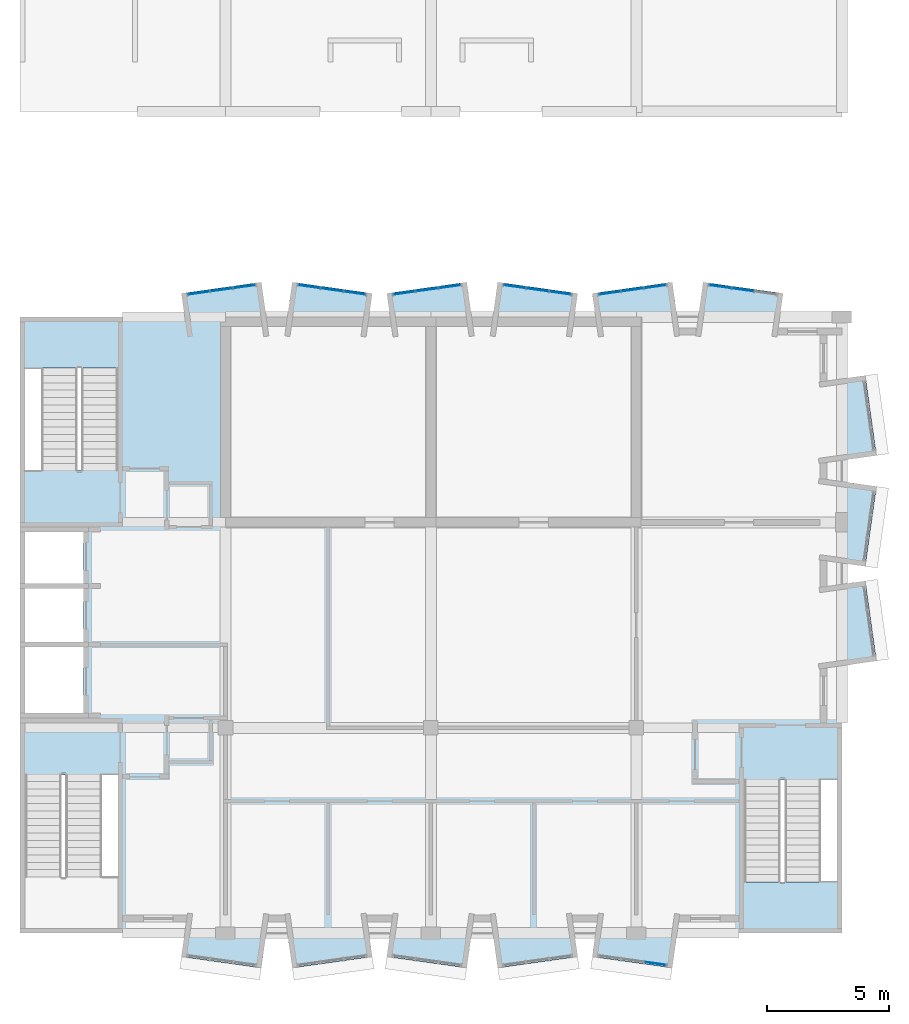
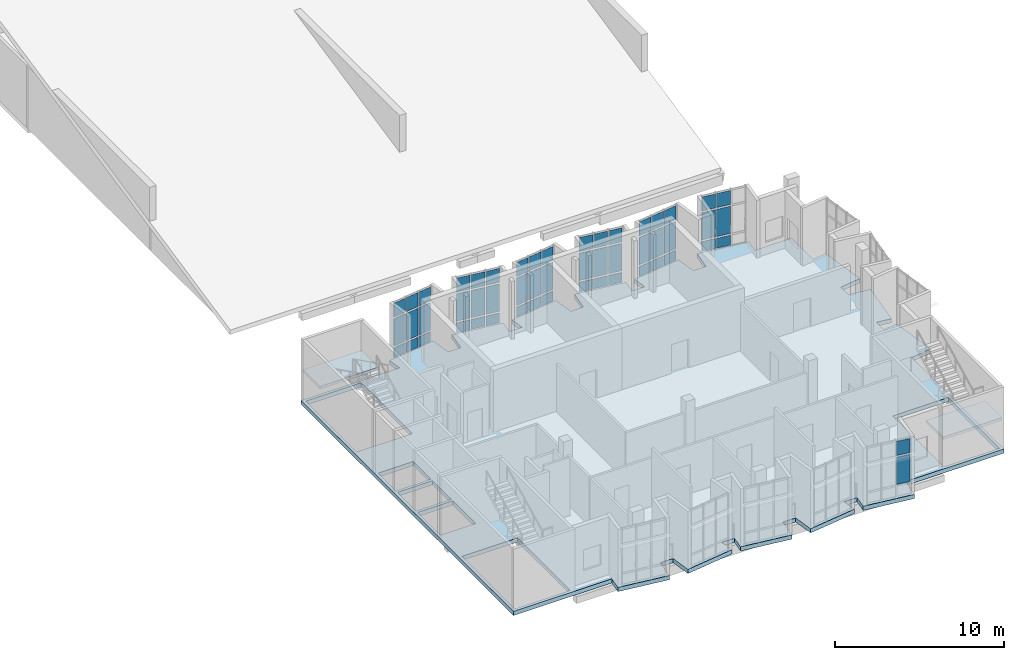
# One storey, part 9 of 19: 53 plates, 3 slabs, 9 elements without a shape of their own.
"""IFC4 building model written with IfcOpenShell, lengths in metres."""

from ifc_helpers import new_model, si_unit, direction, frame, origin, origin_2d, place, context, subcontext, project, spatial, polyline, rectangle, outline, extrude, material, layer, layer_set, type_object, element, aggregate, save


model = new_model("IFC4")

# Units and contexts
model_context = context("Model", 3, precision=1e-05, world=origin(), true_north=direction((0.0, 1.0)))
body_context = subcontext(model_context, "Body", "Model", "MODEL_VIEW")
ifc_project = project(units=[si_unit("LENGTHUNIT", "METRE"), si_unit("AREAUNIT", "SQUARE_METRE"), si_unit("VOLUMEUNIT", "CUBIC_METRE"), si_unit("PLANEANGLEUNIT", "RADIAN"), si_unit("MASSUNIT", "GRAM", prefix="KILO")], contexts=[model_context])

# Site, building, storey
site_placement = place(None, origin())
site = spatial("IfcSite", under=ifc_project, at=site_placement, CompositionType="ELEMENT")
building_placement = place(site_placement, origin())
building = spatial("IfcBuilding", under=site, at=building_placement, Name="Kiln Court Media Centre", CompositionType="ELEMENT")
storey_placement = place(building_placement, frame((0.0, 0.0, 29.10009765625)))
storey = spatial("IfcBuildingStorey", under=building, at=storey_placement, Name="L06", CompositionType="ELEMENT", Elevation=29.10009765625)

# Slab
ifc_material_1 = material(Name="Concrete C30/37", Category="concrete")
ifc_layer_1 = layer(ifc_material_1, 0.300048828125)
ifc_layer_set_1 = layer_set([ifc_layer_1], Name="Concrete C30/37 floor slab 300")
slab_type_1 = type_object("IfcSlabType", Name="Concrete C30/37 floor slab 300", PredefinedType="FLOOR", material=ifc_layer_set_1)
slab_1_placement = place(storey_placement, frame((0.0, 0.0, -0.300048828125)))
element("IfcSlab", 1, at=slab_1_placement, inside=storey, type_object=slab_type_1, Name="L06-SL-1000", PredefinedType="FLOOR", context=body_context, shape_type="SweptSolid", body=[
    extrude(outline(polyline([(9.866943359375, -1.41845703125), (6.598876953125, -0.958984375), (6.7333984375, 0.0), (0.0, 0.0), (0.0, 25.199951171875), (6.7333984375, 25.199951171875), (6.598876953125, 26.1591796875), (9.866943359375, 26.618408203125), (10.066650390625, 25.199951171875), (10.933349609375, 25.199951171875), (11.133056640625, 26.618408203125), (14.401123046875, 26.1591796875), (14.2666015625, 25.199951171875), (15.13330078125, 25.199951171875), (14.998779296875, 26.1591796875), (18.266845703125, 26.618408203125), (18.466796875, 25.199951171875), (19.333251953125, 25.199951171875), (19.533203125, 26.618408203125), (22.801025390625, 26.1591796875), (22.666748046875, 25.199951171875), (23.533203125, 25.199951171875), (23.39892578125, 26.1591796875), (26.6669921875, 26.618408203125), (26.86669921875, 25.199951171875), (27.7333984375, 25.199951171875), (27.93310546875, 26.618408203125), (31.201171875, 26.1591796875), (31.066650390625, 25.199951171875), (33.60009765625, 25.199951171875), (33.60009765625, 22.666748046875), (34.55908203125, 22.801025390625), (35.0185546875, 19.533203125), (33.60009765625, 19.333251953125), (33.60009765625, 18.466796875), (35.018310546875, 18.26708984375), (34.55908203125, 14.998779296875), (33.60009765625, 15.13330078125), (33.60009765625, 14.2666015625), (34.55908203125, 14.401123046875), (35.0185546875, 11.133056640625), (33.60009765625, 10.933349609375), (33.60009765625, 0.0), (26.86669921875, 0.0), (26.6669921875, -1.41845703125), (23.39892578125, -0.958984375), (23.533203125, 0.0), (22.666748046875, 0.0), (22.801025390625, -0.959228515625), (19.533203125, -1.41845703125), (19.333251953125, 0.0), (18.466796875, 0.0), (18.266845703125, -1.41845703125), (14.998779296875, -0.958984375), (15.13330078125, 0.0), (14.2666015625, 0.0), (14.401123046875, -0.959228515625), (11.133056640625, -1.41845703125), (10.933349609375, 0.0), (10.066650390625, 0.0), (9.866943359375, -1.41845703125)]), holes=[polyline([(0.199951171875, 0.199951171875), (4.0, 0.199951171875), (4.0, 6.4599609375), (0.199951171875, 6.4599609375), (0.199951171875, 0.199951171875)]), polyline([(29.60009765625, 0.199951171875), (33.39990234375, 0.199951171875), (33.39990234375, 6.260009765625), (29.60009765625, 6.260009765625), (29.60009765625, 0.199951171875)]), polyline([(0.199951171875, 9.0), (2.60009765625, 9.0), (2.60009765625, 11.699951171875), (0.199951171875, 11.699951171875), (0.199951171875, 9.0)]), polyline([(0.199951171875, 11.89990234375), (2.60009765625, 11.89990234375), (2.60009765625, 14.10009765625), (0.199951171875, 14.10009765625), (0.199951171875, 11.89990234375)]), polyline([(0.199951171875, 14.300048828125), (2.60009765625, 14.300048828125), (2.60009765625, 16.39990234375), (0.199951171875, 16.39990234375), (0.199951171875, 14.300048828125)]), polyline([(0.199951171875, 18.93994140625), (4.0, 18.93994140625), (4.0, 25.0), (0.199951171875, 25.0), (0.199951171875, 18.93994140625)])]), origin(), (0.0, 0.0, 1.0), 0.300048828125),
])

# Stair, slab
ifc_material_2 = material(Name="Concrete C40/50", Category="concrete")
stair_type = type_object("IfcStairType", Name="Concrete C40/50 dog-leg stair 1500 wide, 150 riser", PredefinedType="HALF_TURN_STAIR", material=ifc_material_2)
stair_1_placement = place(storey_placement, origin())
stair_1 = element("IfcStair", 2, at=stair_1_placement, inside=storey, type_object=stair_type, Name="ST-02 L06", PredefinedType="HALF_TURN_STAIR")
ifc_material_3 = material(Name="Concrete C40/50", Category="concrete")
ifc_layer_2 = layer(ifc_material_3, 0.199951171875)
ifc_layer_set_2 = layer_set([ifc_layer_2], Name="Concrete C40/50 stair landing 200")
slab_type_2 = type_object("IfcSlabType", Name="Concrete C40/50 stair landing 200", PredefinedType="LANDING", material=ifc_layer_set_2)
slab_2_placement = place(storey_placement, frame((0.0, 0.0, 2.0498046875)))
slab_2 = element("IfcSlab", 3, at=slab_2_placement, type_object=slab_type_2, Name="L06-ST-5001 landing 5001", PredefinedType="LANDING", context=body_context, shape_type="SweptSolid", body=[
    extrude(outline(polyline([(4.1201171875, 23.10009765625), (4.1201171875, 25.1201171875), (0.080078125, 25.1201171875), (0.080078125, 23.10009765625), (4.1201171875, 23.10009765625)])), origin(), (0.0, 0.0, 1.0), 0.2001953125),
])
aggregate(stair_1, [slab_2])

stair_2_placement = place(storey_placement, origin())
stair_2 = element("IfcStair", 4, at=stair_2_placement, inside=storey, type_object=stair_type, Name="ST-03 L06", PredefinedType="HALF_TURN_STAIR")
slab_3_placement = place(storey_placement, frame((0.0, 0.0, 2.0498046875)))
slab_3 = element("IfcSlab", 5, at=slab_3_placement, type_object=slab_type_2, Name="L06-ST-5002 landing 5002", PredefinedType="LANDING", context=body_context, shape_type="SweptSolid", body=[
    extrude(outline(polyline([(29.47998046875, 2.10009765625), (29.47998046875, 0.080078125), (33.52001953125, 0.080078125), (33.52001953125, 2.10009765625), (29.47998046875, 2.10009765625)])), origin(), (0.0, 0.0, 1.0), 0.2001953125),
])
aggregate(stair_2, [slab_3])

# Curtain wall, plates
ifc_material_4 = material(Name="Aluminium 6063-T6", Category="aluminium")
ifc_layer_3 = layer(ifc_material_4, 0.1201171875)
ifc_layer_set_3 = layer_set([ifc_layer_3], Name="Aluminium unitised bay curtain wall")
curtain_wall_type = type_object("IfcCurtainWallType", Name="Aluminium unitised bay curtain wall", PredefinedType="USERDEFINED", material=ifc_layer_set_3)
curtain_wall_1_placement = place(storey_placement, origin())
curtain_wall_1 = element("IfcCurtainWall", 6, at=curtain_wall_1_placement, inside=storey, type_object=curtain_wall_type, Name="BAY V6A-N-L06-38 front", ObjectType="UNITISED CURTAIN WALL", PredefinedType="USERDEFINED")
ifc_material_5 = material(Name="Aluminium insulated spandrel", Category="aluminium")
ifc_layer_4 = layer(ifc_material_5, 0.028076171875)
ifc_layer_set_4 = layer_set([ifc_layer_4], Name="Insulated spandrel panel 28")
plate_type_1 = type_object("IfcPlateType", Name="Insulated spandrel panel 28", PredefinedType="CURTAIN_PANEL", material=ifc_layer_set_4)
plate_1_placement = place(storey_placement, frame((7.3115234375, 26.177978515625, 0.1201171875), z_axis=(0.0, 0.0, 1.0), x_axis=(0.990269562409, 0.139162472554, 0.0)))
plate_1 = element("IfcPlate", 7, at=plate_1_placement, type_object=plate_type_1, Name="CW6-04 panel 1.1", PredefinedType="CURTAIN_PANEL", context=body_context, shape_type="SweptSolid", body=[
    extrude(rectangle(XDim=0.86669921875, YDim=0.028076171875, at=origin_2d()), origin(), (0.0, 0.0, 1.0), 0.719970703125),
])
plate_2_placement = place(storey_placement, frame((8.244140625, 26.30908203125, 0.1201171875), z_axis=(0.0, 0.0, 1.0), x_axis=(0.990269562409, 0.139162472554, 0.0)))
plate_2 = element("IfcPlate", 8, at=plate_2_placement, type_object=plate_type_1, Name="CW6-04 panel 2.1", PredefinedType="CURTAIN_PANEL", context=body_context, shape_type="SweptSolid", body=[
    extrude(rectangle(XDim=0.896728515625, YDim=0.028076171875, at=origin_2d()), origin(), (0.0, 0.0, 1.0), 0.719970703125),
])
plate_3_placement = place(storey_placement, frame((9.1767578125, 26.440185546875, 0.1201171875), z_axis=(0.0, 0.0, 1.0), x_axis=(0.990269562409, 0.139162472554, 0.0)))
plate_3 = element("IfcPlate", 9, at=plate_3_placement, type_object=plate_type_1, Name="CW6-04 panel 3.1", PredefinedType="CURTAIN_PANEL", context=body_context, shape_type="SweptSolid", body=[
    extrude(rectangle(XDim=0.86669921875, YDim=0.028076171875, at=origin_2d()), origin(), (0.0, 0.0, 1.0), 0.719970703125),
])

curtain_wall_2_placement = place(storey_placement, origin())
curtain_wall_2 = element("IfcCurtainWall", 10, at=curtain_wall_2_placement, inside=storey, type_object=curtain_wall_type, Name="BAY V6A-N-L06-39 front", ObjectType="UNITISED CURTAIN WALL", PredefinedType="USERDEFINED")
plate_4_placement = place(storey_placement, frame((11.8232421875, 26.440185546875, 0.1201171875), z_axis=(0.0, 0.0, 1.0), x_axis=(0.990269562409, -0.139162472554, 0.0)))
plate_4 = element("IfcPlate", 11, at=plate_4_placement, type_object=plate_type_1, Name="CW6-05 panel 1.1", PredefinedType="CURTAIN_PANEL", context=body_context, shape_type="SweptSolid", body=[
    extrude(rectangle(XDim=0.86669921875, YDim=0.028076171875, at=origin_2d()), origin(), (0.0, 0.0, 1.0), 0.719970703125),
])
plate_5_placement = place(storey_placement, frame((12.755859375, 26.30908203125, 0.1201171875), z_axis=(0.0, 0.0, 1.0), x_axis=(0.990269562409, -0.139162472554, 0.0)))
plate_5 = element("IfcPlate", 12, at=plate_5_placement, type_object=plate_type_1, Name="CW6-05 panel 2.1", PredefinedType="CURTAIN_PANEL", context=body_context, shape_type="SweptSolid", body=[
    extrude(rectangle(XDim=0.896728515625, YDim=0.028076171875, at=origin_2d()), origin(), (0.0, 0.0, 1.0), 0.719970703125),
])
plate_6_placement = place(storey_placement, frame((13.6884765625, 26.177978515625, 0.1201171875), z_axis=(0.0, 0.0, 1.0), x_axis=(0.990269562409, -0.139162472554, 0.0)))
plate_6 = element("IfcPlate", 13, at=plate_6_placement, type_object=plate_type_1, Name="CW6-05 panel 3.1", PredefinedType="CURTAIN_PANEL", context=body_context, shape_type="SweptSolid", body=[
    extrude(rectangle(XDim=0.86669921875, YDim=0.028076171875, at=origin_2d()), origin(), (0.0, 0.0, 1.0), 0.719970703125),
])

curtain_wall_3_placement = place(storey_placement, origin())
curtain_wall_3 = element("IfcCurtainWall", 14, at=curtain_wall_3_placement, inside=storey, type_object=curtain_wall_type, Name="BAY V6A-N-L06-40 front", ObjectType="UNITISED CURTAIN WALL", PredefinedType="USERDEFINED")
plate_7_placement = place(storey_placement, frame((15.711669921875, 26.177978515625, 0.1201171875), z_axis=(0.0, 0.0, 1.0), x_axis=(0.990269562409, 0.139162472554, 0.0)))
plate_7 = element("IfcPlate", 15, at=plate_7_placement, type_object=plate_type_1, Name="CW6-06 panel 1.1", PredefinedType="CURTAIN_PANEL", context=body_context, shape_type="SweptSolid", body=[
    extrude(rectangle(XDim=0.86669921875, YDim=0.028076171875, at=origin_2d()), origin(), (0.0, 0.0, 1.0), 0.719970703125),
])
plate_8_placement = place(storey_placement, frame((16.64404296875, 26.30908203125, 0.1201171875), z_axis=(0.0, 0.0, 1.0), x_axis=(0.990269562409, 0.139162472554, 0.0)))
plate_8 = element("IfcPlate", 16, at=plate_8_placement, type_object=plate_type_1, Name="CW6-06 panel 2.1", PredefinedType="CURTAIN_PANEL", context=body_context, shape_type="SweptSolid", body=[
    extrude(rectangle(XDim=0.896728515625, YDim=0.028076171875, at=origin_2d()), origin(), (0.0, 0.0, 1.0), 0.719970703125),
])
plate_9_placement = place(storey_placement, frame((17.57666015625, 26.440185546875, 0.1201171875), z_axis=(0.0, 0.0, 1.0), x_axis=(0.990269562409, 0.139162472554, 0.0)))
plate_9 = element("IfcPlate", 17, at=plate_9_placement, type_object=plate_type_1, Name="CW6-06 panel 3.1", PredefinedType="CURTAIN_PANEL", context=body_context, shape_type="SweptSolid", body=[
    extrude(rectangle(XDim=0.86669921875, YDim=0.028076171875, at=origin_2d()), origin(), (0.0, 0.0, 1.0), 0.719970703125),
])

curtain_wall_4_placement = place(storey_placement, origin())
curtain_wall_4 = element("IfcCurtainWall", 18, at=curtain_wall_4_placement, inside=storey, type_object=curtain_wall_type, Name="BAY V6A-N-L06-41 front", ObjectType="UNITISED CURTAIN WALL", PredefinedType="USERDEFINED")
plate_10_placement = place(storey_placement, frame((20.223388671875, 26.440185546875, 0.1201171875), z_axis=(0.0, 0.0, 1.0), x_axis=(0.990269562409, -0.139162472554, 0.0)))
plate_10 = element("IfcPlate", 19, at=plate_10_placement, type_object=plate_type_1, Name="CW6-07 panel 1.1", PredefinedType="CURTAIN_PANEL", context=body_context, shape_type="SweptSolid", body=[
    extrude(rectangle(XDim=0.86669921875, YDim=0.028076171875, at=origin_2d()), origin(), (0.0, 0.0, 1.0), 0.719970703125),
])
plate_11_placement = place(storey_placement, frame((21.15576171875, 26.30908203125, 0.1201171875), z_axis=(0.0, 0.0, 1.0), x_axis=(0.990269562409, -0.139162472554, 0.0)))
plate_11 = element("IfcPlate", 20, at=plate_11_placement, type_object=plate_type_1, Name="CW6-07 panel 2.1", PredefinedType="CURTAIN_PANEL", context=body_context, shape_type="SweptSolid", body=[
    extrude(rectangle(XDim=0.896728515625, YDim=0.028076171875, at=origin_2d()), origin(), (0.0, 0.0, 1.0), 0.719970703125),
])
plate_12_placement = place(storey_placement, frame((22.08837890625, 26.177978515625, 0.1201171875), z_axis=(0.0, 0.0, 1.0), x_axis=(0.990269562409, -0.139162472554, 0.0)))
plate_12 = element("IfcPlate", 21, at=plate_12_placement, type_object=plate_type_1, Name="CW6-07 panel 3.1", PredefinedType="CURTAIN_PANEL", context=body_context, shape_type="SweptSolid", body=[
    extrude(rectangle(XDim=0.86669921875, YDim=0.028076171875, at=origin_2d()), origin(), (0.0, 0.0, 1.0), 0.719970703125),
])

curtain_wall_5_placement = place(storey_placement, origin())
curtain_wall_5 = element("IfcCurtainWall", 22, at=curtain_wall_5_placement, inside=storey, type_object=curtain_wall_type, Name="BAY V6A-N-L06-42 front", ObjectType="UNITISED CURTAIN WALL", PredefinedType="USERDEFINED")
plate_13_placement = place(storey_placement, frame((24.111572265625, 26.177978515625, 0.1201171875), z_axis=(0.0, 0.0, 1.0), x_axis=(0.990269562409, 0.139162472554, 0.0)))
plate_13 = element("IfcPlate", 23, at=plate_13_placement, type_object=plate_type_1, Name="CW6-08 panel 1.1", PredefinedType="CURTAIN_PANEL", context=body_context, shape_type="SweptSolid", body=[
    extrude(rectangle(XDim=0.86669921875, YDim=0.028076171875, at=origin_2d()), origin(), (0.0, 0.0, 1.0), 0.719970703125),
])
plate_14_placement = place(storey_placement, frame((25.044189453125, 26.30908203125, 0.1201171875), z_axis=(0.0, 0.0, 1.0), x_axis=(0.990269562409, 0.139162472554, 0.0)))
plate_14 = element("IfcPlate", 24, at=plate_14_placement, type_object=plate_type_1, Name="CW6-08 panel 2.1", PredefinedType="CURTAIN_PANEL", context=body_context, shape_type="SweptSolid", body=[
    extrude(rectangle(XDim=0.896728515625, YDim=0.028076171875, at=origin_2d()), origin(), (0.0, 0.0, 1.0), 0.719970703125),
])
plate_15_placement = place(storey_placement, frame((25.9765625, 26.440185546875, 0.1201171875), z_axis=(0.0, 0.0, 1.0), x_axis=(0.990269562409, 0.139162472554, 0.0)))
plate_15 = element("IfcPlate", 25, at=plate_15_placement, type_object=plate_type_1, Name="CW6-08 panel 3.1", PredefinedType="CURTAIN_PANEL", context=body_context, shape_type="SweptSolid", body=[
    extrude(rectangle(XDim=0.86669921875, YDim=0.028076171875, at=origin_2d()), origin(), (0.0, 0.0, 1.0), 0.719970703125),
])

curtain_wall_6_placement = place(storey_placement, origin())
curtain_wall_6 = element("IfcCurtainWall", 26, at=curtain_wall_6_placement, inside=storey, type_object=curtain_wall_type, Name="BAY V6A-N-L06-43 front", ObjectType="UNITISED CURTAIN WALL", PredefinedType="USERDEFINED")
plate_16_placement = place(storey_placement, frame((28.623291015625, 26.440185546875, 0.1201171875), z_axis=(0.0, 0.0, 1.0), x_axis=(0.990269562409, -0.139162472554, 0.0)))
plate_16 = element("IfcPlate", 27, at=plate_16_placement, type_object=plate_type_1, Name="CW6-09 panel 1.1", PredefinedType="CURTAIN_PANEL", context=body_context, shape_type="SweptSolid", body=[
    extrude(rectangle(XDim=0.86669921875, YDim=0.028076171875, at=origin_2d()), origin(), (0.0, 0.0, 1.0), 0.719970703125),
])
plate_17_placement = place(storey_placement, frame((29.555908203125, 26.30908203125, 0.1201171875), z_axis=(0.0, 0.0, 1.0), x_axis=(0.990269562409, -0.139162472554, 0.0)))
plate_17 = element("IfcPlate", 28, at=plate_17_placement, type_object=plate_type_1, Name="CW6-09 panel 2.1", PredefinedType="CURTAIN_PANEL", context=body_context, shape_type="SweptSolid", body=[
    extrude(rectangle(XDim=0.896728515625, YDim=0.028076171875, at=origin_2d()), origin(), (0.0, 0.0, 1.0), 0.719970703125),
])

# Plate
ifc_material_6 = material(Name="Low-E double glazing", Category="glass")
ifc_layer_5 = layer(ifc_material_6, 0.028076171875)
ifc_layer_set_5 = layer_set([ifc_layer_5], Name="Low-E double glazed panel 28")
plate_type_2 = type_object("IfcPlateType", Name="Low-E double glazed panel 28", PredefinedType="CURTAIN_PANEL", material=ifc_layer_set_5)
plate_18_placement = place(storey_placement, frame((7.3115234375, 26.177978515625, 0.9599609375), z_axis=(0.0, 0.0, 1.0), x_axis=(0.990269562409, 0.139162472554, 0.0)))
plate_18 = element("IfcPlate", 29, at=plate_18_placement, type_object=plate_type_2, Name="CW6-04 panel 1.2", PredefinedType="CURTAIN_PANEL", context=body_context, shape_type="SweptSolid", body=[
    extrude(rectangle(XDim=0.86669921875, YDim=0.028076171875, at=origin_2d()), origin(), (0.0, 0.0, 1.0), 1.97998046875),
])

plate_19_placement = place(storey_placement, frame((7.3115234375, 26.177978515625, 3.059814453125), z_axis=(0.0, 0.0, 1.0), x_axis=(0.990269562409, 0.139162472554, 0.0)))
plate_19 = element("IfcPlate", 30, at=plate_19_placement, type_object=plate_type_2, Name="CW6-04 panel 1.3", PredefinedType="CURTAIN_PANEL", context=body_context, shape_type="SweptSolid", body=[
    extrude(rectangle(XDim=0.86669921875, YDim=0.028076171875, at=origin_2d()), origin(), (0.0, 0.0, 1.0), 1.02001953125),
])

plate_20_placement = place(storey_placement, frame((8.244140625, 26.30908203125, 0.9599609375), z_axis=(0.0, 0.0, 1.0), x_axis=(0.990269562409, 0.139162472554, 0.0)))
plate_20 = element("IfcPlate", 31, at=plate_20_placement, type_object=plate_type_2, Name="CW6-04 panel 2.2", PredefinedType="CURTAIN_PANEL", context=body_context, shape_type="SweptSolid", body=[
    extrude(rectangle(XDim=0.896728515625, YDim=0.028076171875, at=origin_2d()), origin(), (0.0, 0.0, 1.0), 1.97998046875),
])

plate_21_placement = place(storey_placement, frame((8.244140625, 26.30908203125, 3.059814453125), z_axis=(0.0, 0.0, 1.0), x_axis=(0.990269562409, 0.139162472554, 0.0)))
plate_21 = element("IfcPlate", 32, at=plate_21_placement, type_object=plate_type_2, Name="CW6-04 panel 2.3", PredefinedType="CURTAIN_PANEL", context=body_context, shape_type="SweptSolid", body=[
    extrude(rectangle(XDim=0.896728515625, YDim=0.028076171875, at=origin_2d()), origin(), (0.0, 0.0, 1.0), 1.02001953125),
])

plate_22_placement = place(storey_placement, frame((9.1767578125, 26.440185546875, 0.9599609375), z_axis=(0.0, 0.0, 1.0), x_axis=(0.990269562409, 0.139162472554, 0.0)))
plate_22 = element("IfcPlate", 33, at=plate_22_placement, type_object=plate_type_2, Name="CW6-04 panel 3.2", PredefinedType="CURTAIN_PANEL", context=body_context, shape_type="SweptSolid", body=[
    extrude(rectangle(XDim=0.86669921875, YDim=0.028076171875, at=origin_2d()), origin(), (0.0, 0.0, 1.0), 1.97998046875),
])

plate_23_placement = place(storey_placement, frame((9.1767578125, 26.440185546875, 3.059814453125), z_axis=(0.0, 0.0, 1.0), x_axis=(0.990269562409, 0.139162472554, 0.0)))
plate_23 = element("IfcPlate", 34, at=plate_23_placement, type_object=plate_type_2, Name="CW6-04 panel 3.3", PredefinedType="CURTAIN_PANEL", context=body_context, shape_type="SweptSolid", body=[
    extrude(rectangle(XDim=0.86669921875, YDim=0.028076171875, at=origin_2d()), origin(), (0.0, 0.0, 1.0), 1.02001953125),
])

aggregate(curtain_wall_1, [plate_1, plate_18, plate_19, plate_2, plate_20, plate_21, plate_3, plate_22, plate_23])

plate_24_placement = place(storey_placement, frame((11.8232421875, 26.440185546875, 0.9599609375), z_axis=(0.0, 0.0, 1.0), x_axis=(0.990269562409, -0.139162472554, 0.0)))
plate_24 = element("IfcPlate", 35, at=plate_24_placement, type_object=plate_type_2, Name="CW6-05 panel 1.2", PredefinedType="CURTAIN_PANEL", context=body_context, shape_type="SweptSolid", body=[
    extrude(rectangle(XDim=0.86669921875, YDim=0.028076171875, at=origin_2d()), origin(), (0.0, 0.0, 1.0), 1.97998046875),
])

plate_25_placement = place(storey_placement, frame((11.8232421875, 26.440185546875, 3.059814453125), z_axis=(0.0, 0.0, 1.0), x_axis=(0.990269562409, -0.139162472554, 0.0)))
plate_25 = element("IfcPlate", 36, at=plate_25_placement, type_object=plate_type_2, Name="CW6-05 panel 1.3", PredefinedType="CURTAIN_PANEL", context=body_context, shape_type="SweptSolid", body=[
    extrude(rectangle(XDim=0.86669921875, YDim=0.028076171875, at=origin_2d()), origin(), (0.0, 0.0, 1.0), 1.02001953125),
])

plate_26_placement = place(storey_placement, frame((12.755859375, 26.30908203125, 0.9599609375), z_axis=(0.0, 0.0, 1.0), x_axis=(0.990269562409, -0.139162472554, 0.0)))
plate_26 = element("IfcPlate", 37, at=plate_26_placement, type_object=plate_type_2, Name="CW6-05 panel 2.2", PredefinedType="CURTAIN_PANEL", context=body_context, shape_type="SweptSolid", body=[
    extrude(rectangle(XDim=0.896728515625, YDim=0.028076171875, at=origin_2d()), origin(), (0.0, 0.0, 1.0), 1.97998046875),
])

plate_27_placement = place(storey_placement, frame((12.755859375, 26.30908203125, 3.059814453125), z_axis=(0.0, 0.0, 1.0), x_axis=(0.990269562409, -0.139162472554, 0.0)))
plate_27 = element("IfcPlate", 38, at=plate_27_placement, type_object=plate_type_2, Name="CW6-05 panel 2.3", PredefinedType="CURTAIN_PANEL", context=body_context, shape_type="SweptSolid", body=[
    extrude(rectangle(XDim=0.896728515625, YDim=0.028076171875, at=origin_2d()), origin(), (0.0, 0.0, 1.0), 1.02001953125),
])

plate_28_placement = place(storey_placement, frame((13.6884765625, 26.177978515625, 0.9599609375), z_axis=(0.0, 0.0, 1.0), x_axis=(0.990269562409, -0.139162472554, 0.0)))
plate_28 = element("IfcPlate", 39, at=plate_28_placement, type_object=plate_type_2, Name="CW6-05 panel 3.2", PredefinedType="CURTAIN_PANEL", context=body_context, shape_type="SweptSolid", body=[
    extrude(rectangle(XDim=0.86669921875, YDim=0.028076171875, at=origin_2d()), origin(), (0.0, 0.0, 1.0), 1.97998046875),
])

plate_29_placement = place(storey_placement, frame((13.6884765625, 26.177978515625, 3.059814453125), z_axis=(0.0, 0.0, 1.0), x_axis=(0.990269562409, -0.139162472554, 0.0)))
plate_29 = element("IfcPlate", 40, at=plate_29_placement, type_object=plate_type_2, Name="CW6-05 panel 3.3", PredefinedType="CURTAIN_PANEL", context=body_context, shape_type="SweptSolid", body=[
    extrude(rectangle(XDim=0.86669921875, YDim=0.028076171875, at=origin_2d()), origin(), (0.0, 0.0, 1.0), 1.02001953125),
])

aggregate(curtain_wall_2, [plate_4, plate_24, plate_25, plate_5, plate_26, plate_27, plate_6, plate_28, plate_29])

plate_30_placement = place(storey_placement, frame((15.711669921875, 26.177978515625, 0.9599609375), z_axis=(0.0, 0.0, 1.0), x_axis=(0.990269562409, 0.139162472554, 0.0)))
plate_30 = element("IfcPlate", 41, at=plate_30_placement, type_object=plate_type_2, Name="CW6-06 panel 1.2", PredefinedType="CURTAIN_PANEL", context=body_context, shape_type="SweptSolid", body=[
    extrude(rectangle(XDim=0.86669921875, YDim=0.028076171875, at=origin_2d()), origin(), (0.0, 0.0, 1.0), 1.97998046875),
])

plate_31_placement = place(storey_placement, frame((15.711669921875, 26.177978515625, 3.059814453125), z_axis=(0.0, 0.0, 1.0), x_axis=(0.990269562409, 0.139162472554, 0.0)))
plate_31 = element("IfcPlate", 42, at=plate_31_placement, type_object=plate_type_2, Name="CW6-06 panel 1.3", PredefinedType="CURTAIN_PANEL", context=body_context, shape_type="SweptSolid", body=[
    extrude(rectangle(XDim=0.86669921875, YDim=0.028076171875, at=origin_2d()), origin(), (0.0, 0.0, 1.0), 1.02001953125),
])

plate_32_placement = place(storey_placement, frame((16.64404296875, 26.30908203125, 0.9599609375), z_axis=(0.0, 0.0, 1.0), x_axis=(0.990269562409, 0.139162472554, 0.0)))
plate_32 = element("IfcPlate", 43, at=plate_32_placement, type_object=plate_type_2, Name="CW6-06 panel 2.2", PredefinedType="CURTAIN_PANEL", context=body_context, shape_type="SweptSolid", body=[
    extrude(rectangle(XDim=0.896728515625, YDim=0.028076171875, at=origin_2d()), origin(), (0.0, 0.0, 1.0), 1.97998046875),
])

plate_33_placement = place(storey_placement, frame((16.64404296875, 26.30908203125, 3.059814453125), z_axis=(0.0, 0.0, 1.0), x_axis=(0.990269562409, 0.139162472554, 0.0)))
plate_33 = element("IfcPlate", 44, at=plate_33_placement, type_object=plate_type_2, Name="CW6-06 panel 2.3", PredefinedType="CURTAIN_PANEL", context=body_context, shape_type="SweptSolid", body=[
    extrude(rectangle(XDim=0.896728515625, YDim=0.028076171875, at=origin_2d()), origin(), (0.0, 0.0, 1.0), 1.02001953125),
])

plate_34_placement = place(storey_placement, frame((17.57666015625, 26.440185546875, 0.9599609375), z_axis=(0.0, 0.0, 1.0), x_axis=(0.990269562409, 0.139162472554, 0.0)))
plate_34 = element("IfcPlate", 45, at=plate_34_placement, type_object=plate_type_2, Name="CW6-06 panel 3.2", PredefinedType="CURTAIN_PANEL", context=body_context, shape_type="SweptSolid", body=[
    extrude(rectangle(XDim=0.86669921875, YDim=0.028076171875, at=origin_2d()), origin(), (0.0, 0.0, 1.0), 1.97998046875),
])

plate_35_placement = place(storey_placement, frame((17.57666015625, 26.440185546875, 3.059814453125), z_axis=(0.0, 0.0, 1.0), x_axis=(0.990269562409, 0.139162472554, 0.0)))
plate_35 = element("IfcPlate", 46, at=plate_35_placement, type_object=plate_type_2, Name="CW6-06 panel 3.3", PredefinedType="CURTAIN_PANEL", context=body_context, shape_type="SweptSolid", body=[
    extrude(rectangle(XDim=0.86669921875, YDim=0.028076171875, at=origin_2d()), origin(), (0.0, 0.0, 1.0), 1.02001953125),
])

aggregate(curtain_wall_3, [plate_7, plate_30, plate_31, plate_8, plate_32, plate_33, plate_9, plate_34, plate_35])

plate_36_placement = place(storey_placement, frame((20.223388671875, 26.440185546875, 0.9599609375), z_axis=(0.0, 0.0, 1.0), x_axis=(0.990269562409, -0.139162472554, 0.0)))
plate_36 = element("IfcPlate", 47, at=plate_36_placement, type_object=plate_type_2, Name="CW6-07 panel 1.2", PredefinedType="CURTAIN_PANEL", context=body_context, shape_type="SweptSolid", body=[
    extrude(rectangle(XDim=0.86669921875, YDim=0.028076171875, at=origin_2d()), origin(), (0.0, 0.0, 1.0), 1.97998046875),
])

plate_37_placement = place(storey_placement, frame((20.223388671875, 26.440185546875, 3.059814453125), z_axis=(0.0, 0.0, 1.0), x_axis=(0.990269562409, -0.139162472554, 0.0)))
plate_37 = element("IfcPlate", 48, at=plate_37_placement, type_object=plate_type_2, Name="CW6-07 panel 1.3", PredefinedType="CURTAIN_PANEL", context=body_context, shape_type="SweptSolid", body=[
    extrude(rectangle(XDim=0.86669921875, YDim=0.028076171875, at=origin_2d()), origin(), (0.0, 0.0, 1.0), 1.02001953125),
])

plate_38_placement = place(storey_placement, frame((21.15576171875, 26.30908203125, 0.9599609375), z_axis=(0.0, 0.0, 1.0), x_axis=(0.990269562409, -0.139162472554, 0.0)))
plate_38 = element("IfcPlate", 49, at=plate_38_placement, type_object=plate_type_2, Name="CW6-07 panel 2.2", PredefinedType="CURTAIN_PANEL", context=body_context, shape_type="SweptSolid", body=[
    extrude(rectangle(XDim=0.896728515625, YDim=0.028076171875, at=origin_2d()), origin(), (0.0, 0.0, 1.0), 1.97998046875),
])

plate_39_placement = place(storey_placement, frame((21.15576171875, 26.30908203125, 3.059814453125), z_axis=(0.0, 0.0, 1.0), x_axis=(0.990269562409, -0.139162472554, 0.0)))
plate_39 = element("IfcPlate", 50, at=plate_39_placement, type_object=plate_type_2, Name="CW6-07 panel 2.3", PredefinedType="CURTAIN_PANEL", context=body_context, shape_type="SweptSolid", body=[
    extrude(rectangle(XDim=0.896728515625, YDim=0.028076171875, at=origin_2d()), origin(), (0.0, 0.0, 1.0), 1.02001953125),
])

plate_40_placement = place(storey_placement, frame((22.08837890625, 26.177978515625, 0.9599609375), z_axis=(0.0, 0.0, 1.0), x_axis=(0.990269562409, -0.139162472554, 0.0)))
plate_40 = element("IfcPlate", 51, at=plate_40_placement, type_object=plate_type_2, Name="CW6-07 panel 3.2", PredefinedType="CURTAIN_PANEL", context=body_context, shape_type="SweptSolid", body=[
    extrude(rectangle(XDim=0.86669921875, YDim=0.028076171875, at=origin_2d()), origin(), (0.0, 0.0, 1.0), 1.97998046875),
])

plate_41_placement = place(storey_placement, frame((22.08837890625, 26.177978515625, 3.059814453125), z_axis=(0.0, 0.0, 1.0), x_axis=(0.990269562409, -0.139162472554, 0.0)))
plate_41 = element("IfcPlate", 52, at=plate_41_placement, type_object=plate_type_2, Name="CW6-07 panel 3.3", PredefinedType="CURTAIN_PANEL", context=body_context, shape_type="SweptSolid", body=[
    extrude(rectangle(XDim=0.86669921875, YDim=0.028076171875, at=origin_2d()), origin(), (0.0, 0.0, 1.0), 1.02001953125),
])

aggregate(curtain_wall_4, [plate_10, plate_36, plate_37, plate_11, plate_38, plate_39, plate_12, plate_40, plate_41])

plate_42_placement = place(storey_placement, frame((24.111572265625, 26.177978515625, 0.9599609375), z_axis=(0.0, 0.0, 1.0), x_axis=(0.990269562409, 0.139162472554, 0.0)))
plate_42 = element("IfcPlate", 53, at=plate_42_placement, type_object=plate_type_2, Name="CW6-08 panel 1.2", PredefinedType="CURTAIN_PANEL", context=body_context, shape_type="SweptSolid", body=[
    extrude(rectangle(XDim=0.86669921875, YDim=0.028076171875, at=origin_2d()), origin(), (0.0, 0.0, 1.0), 1.97998046875),
])

plate_43_placement = place(storey_placement, frame((24.111572265625, 26.177978515625, 3.059814453125), z_axis=(0.0, 0.0, 1.0), x_axis=(0.990269562409, 0.139162472554, 0.0)))
plate_43 = element("IfcPlate", 54, at=plate_43_placement, type_object=plate_type_2, Name="CW6-08 panel 1.3", PredefinedType="CURTAIN_PANEL", context=body_context, shape_type="SweptSolid", body=[
    extrude(rectangle(XDim=0.86669921875, YDim=0.028076171875, at=origin_2d()), origin(), (0.0, 0.0, 1.0), 1.02001953125),
])

plate_44_placement = place(storey_placement, frame((25.044189453125, 26.30908203125, 0.9599609375), z_axis=(0.0, 0.0, 1.0), x_axis=(0.990269562409, 0.139162472554, 0.0)))
plate_44 = element("IfcPlate", 55, at=plate_44_placement, type_object=plate_type_2, Name="CW6-08 panel 2.2", PredefinedType="CURTAIN_PANEL", context=body_context, shape_type="SweptSolid", body=[
    extrude(rectangle(XDim=0.896728515625, YDim=0.028076171875, at=origin_2d()), origin(), (0.0, 0.0, 1.0), 1.97998046875),
])

plate_45_placement = place(storey_placement, frame((25.044189453125, 26.30908203125, 3.059814453125), z_axis=(0.0, 0.0, 1.0), x_axis=(0.990269562409, 0.139162472554, 0.0)))
plate_45 = element("IfcPlate", 56, at=plate_45_placement, type_object=plate_type_2, Name="CW6-08 panel 2.3", PredefinedType="CURTAIN_PANEL", context=body_context, shape_type="SweptSolid", body=[
    extrude(rectangle(XDim=0.896728515625, YDim=0.028076171875, at=origin_2d()), origin(), (0.0, 0.0, 1.0), 1.02001953125),
])

plate_46_placement = place(storey_placement, frame((25.9765625, 26.440185546875, 0.9599609375), z_axis=(0.0, 0.0, 1.0), x_axis=(0.990269562409, 0.139162472554, 0.0)))
plate_46 = element("IfcPlate", 57, at=plate_46_placement, type_object=plate_type_2, Name="CW6-08 panel 3.2", PredefinedType="CURTAIN_PANEL", context=body_context, shape_type="SweptSolid", body=[
    extrude(rectangle(XDim=0.86669921875, YDim=0.028076171875, at=origin_2d()), origin(), (0.0, 0.0, 1.0), 1.97998046875),
])

plate_47_placement = place(storey_placement, frame((25.9765625, 26.440185546875, 3.059814453125), z_axis=(0.0, 0.0, 1.0), x_axis=(0.990269562409, 0.139162472554, 0.0)))
plate_47 = element("IfcPlate", 58, at=plate_47_placement, type_object=plate_type_2, Name="CW6-08 panel 3.3", PredefinedType="CURTAIN_PANEL", context=body_context, shape_type="SweptSolid", body=[
    extrude(rectangle(XDim=0.86669921875, YDim=0.028076171875, at=origin_2d()), origin(), (0.0, 0.0, 1.0), 1.02001953125),
])

aggregate(curtain_wall_5, [plate_13, plate_42, plate_43, plate_14, plate_44, plate_45, plate_15, plate_46, plate_47])

plate_48_placement = place(storey_placement, frame((28.623291015625, 26.440185546875, 0.9599609375), z_axis=(0.0, 0.0, 1.0), x_axis=(0.990269562409, -0.139162472554, 0.0)))
plate_48 = element("IfcPlate", 59, at=plate_48_placement, type_object=plate_type_2, Name="CW6-09 panel 1.2", PredefinedType="CURTAIN_PANEL", context=body_context, shape_type="SweptSolid", body=[
    extrude(rectangle(XDim=0.86669921875, YDim=0.028076171875, at=origin_2d()), origin(), (0.0, 0.0, 1.0), 1.97998046875),
])

plate_49_placement = place(storey_placement, frame((28.623291015625, 26.440185546875, 3.059814453125), z_axis=(0.0, 0.0, 1.0), x_axis=(0.990269562409, -0.139162472554, 0.0)))
plate_49 = element("IfcPlate", 60, at=plate_49_placement, type_object=plate_type_2, Name="CW6-09 panel 1.3", PredefinedType="CURTAIN_PANEL", context=body_context, shape_type="SweptSolid", body=[
    extrude(rectangle(XDim=0.86669921875, YDim=0.028076171875, at=origin_2d()), origin(), (0.0, 0.0, 1.0), 1.02001953125),
])

plate_50_placement = place(storey_placement, frame((29.555908203125, 26.30908203125, 0.9599609375), z_axis=(0.0, 0.0, 1.0), x_axis=(0.990269562409, -0.139162472554, 0.0)))
plate_50 = element("IfcPlate", 61, at=plate_50_placement, type_object=plate_type_2, Name="CW6-09 panel 2.2", PredefinedType="CURTAIN_PANEL", context=body_context, shape_type="SweptSolid", body=[
    extrude(rectangle(XDim=0.896728515625, YDim=0.028076171875, at=origin_2d()), origin(), (0.0, 0.0, 1.0), 1.97998046875),
])

plate_51_placement = place(storey_placement, frame((29.555908203125, 26.30908203125, 3.059814453125), z_axis=(0.0, 0.0, 1.0), x_axis=(0.990269562409, -0.139162472554, 0.0)))
plate_51 = element("IfcPlate", 62, at=plate_51_placement, type_object=plate_type_2, Name="CW6-09 panel 2.3", PredefinedType="CURTAIN_PANEL", context=body_context, shape_type="SweptSolid", body=[
    extrude(rectangle(XDim=0.896728515625, YDim=0.028076171875, at=origin_2d()), origin(), (0.0, 0.0, 1.0), 1.02001953125),
])

aggregate(curtain_wall_6, [plate_16, plate_48, plate_49, plate_17, plate_50, plate_51])

# Curtain wall, plates
curtain_wall_7_placement = place(storey_placement, origin())
curtain_wall_7 = element("IfcCurtainWall", 63, at=curtain_wall_7_placement, inside=storey, type_object=curtain_wall_type, Name="BAY V6A-S-L06-44 front", ObjectType="UNITISED CURTAIN WALL", PredefinedType="USERDEFINED")
plate_52_placement = place(storey_placement, frame((25.9765625, -1.240234375, 0.9599609375), z_axis=(0.0, 0.0, 1.0), x_axis=(0.990269562409, -0.139162472554, 0.0)))
plate_52 = element("IfcPlate", 64, at=plate_52_placement, type_object=plate_type_2, Name="CW6-14 panel 3.2", PredefinedType="CURTAIN_PANEL", context=body_context, shape_type="SweptSolid", body=[
    extrude(rectangle(XDim=0.86669921875, YDim=0.028076171875, at=origin_2d()), origin(), (0.0, 0.0, 1.0), 1.97998046875),
])
plate_53_placement = place(storey_placement, frame((25.9765625, -1.240234375, 3.059814453125), z_axis=(0.0, 0.0, 1.0), x_axis=(0.990269562409, -0.139162472554, 0.0)))
plate_53 = element("IfcPlate", 65, at=plate_53_placement, type_object=plate_type_2, Name="CW6-14 panel 3.3", PredefinedType="CURTAIN_PANEL", context=body_context, shape_type="SweptSolid", body=[
    extrude(rectangle(XDim=0.86669921875, YDim=0.028076171875, at=origin_2d()), origin(), (0.0, 0.0, 1.0), 1.02001953125),
])
aggregate(curtain_wall_7, [plate_52, plate_53])

save(model, "model.ifc")
